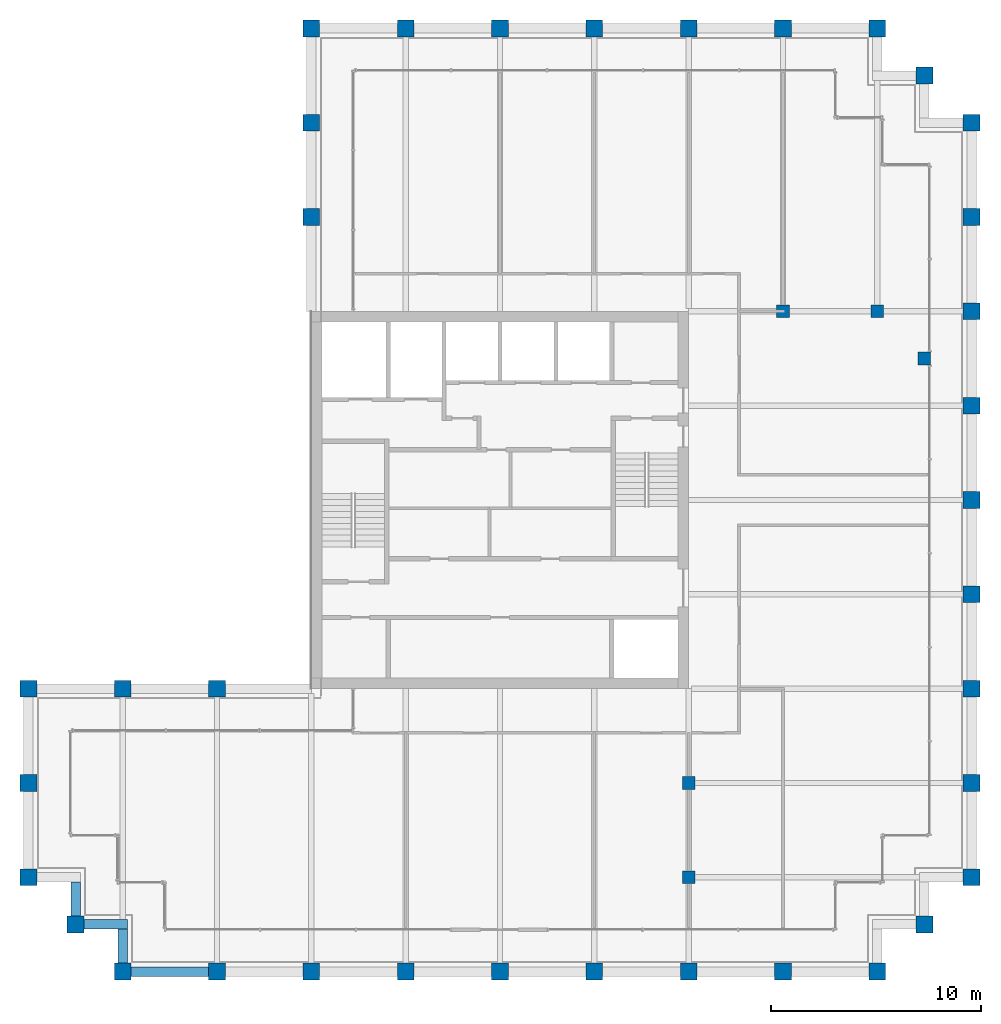
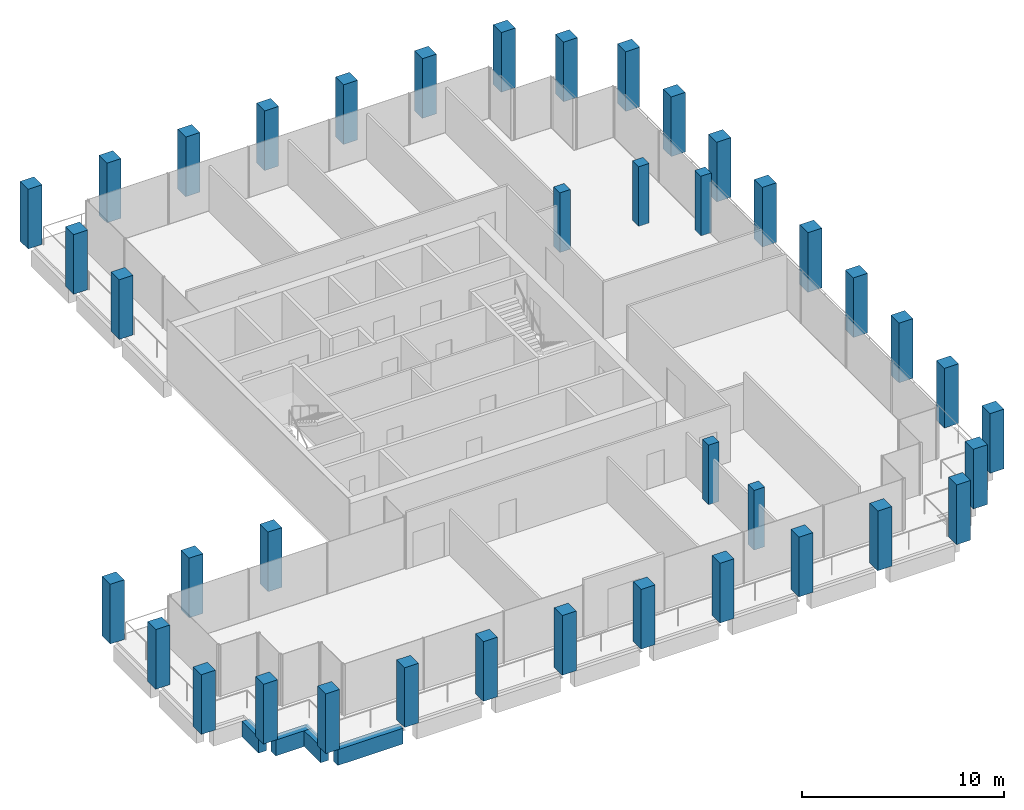
# One storey, part 1 of 30: 40 columns, 4 beams.
"""IFC4 building model written with IfcOpenShell, lengths in metres."""

from ifc_helpers import new_model, si_unit, direction, frame, origin, origin_2d, place, context, subcontext, project, spatial, rectangle, extrude, material, material_profile, profile_set, type_object, element, save


model = new_model("IFC4")

# Units and contexts
model_context = context("Model", 3, precision=1e-05, world=origin(), true_north=direction((0.0, 1.0)))
body_context = subcontext(model_context, "Body", "Model", "MODEL_VIEW")
ifc_project = project(units=[si_unit("LENGTHUNIT", "METRE"), si_unit("AREAUNIT", "SQUARE_METRE"), si_unit("VOLUMEUNIT", "CUBIC_METRE"), si_unit("PLANEANGLEUNIT", "RADIAN"), si_unit("MASSUNIT", "GRAM", prefix="KILO")], contexts=[model_context])

# Site, building, storey
site_placement = place(None, origin())
site = spatial("IfcSite", under=ifc_project, at=site_placement, CompositionType="ELEMENT")
building_placement = place(site_placement, origin())
building = spatial("IfcBuilding", under=site, at=building_placement, Name="Altepetl Exchange Towers", CompositionType="ELEMENT")
storey_placement = place(building_placement, frame((0.0, 0.0, 220.800048828125)))
storey = spatial("IfcBuildingStorey", under=building, at=storey_placement, Name="L56", CompositionType="ELEMENT", Elevation=220.800048828125)

# Columns
ifc_material_1 = material(Name="Concrete C70/85", Category="concrete")
ifc_material_profile_1 = material_profile(ifc_material_1, rectangle(XDim=0.60009765625, YDim=0.60009765625, at=origin_2d()), Name="600 x 600")
ifc_profile_set_1 = profile_set([ifc_material_profile_1], Name="Concrete C70/85")
column_type_1 = type_object("IfcColumnType", Name="Interior column 600", PredefinedType="COLUMN", material=ifc_profile_set_1)
for number, where, name in (
    (1, (58.5, 31.5, 0.0), "col:A:L56:035"),
    (2, (58.5, 36.0, 0.0), "col:A:L56:036"),
    (3, (63.0, 58.5, 0.0), "col:A:L56:037"),
    (4, (67.5, 58.5, 0.0), "col:A:L56:038"),
    (5, (69.75, 56.25, 0.0), "col:A:L56:039"),
):
    element("IfcColumn", number, at=place(storey_placement, frame(where)), inside=storey, type_object=column_type_1, Name=name, PredefinedType="COLUMN", context=body_context, shape_type="SweptSolid", body=[
        extrude(rectangle(XDim=0.60009765625, YDim=0.60009765625, at=origin_2d()), origin(), (0.0, 0.0, 1.0), 3.599853515625),
    ])
ifc_material_2 = material(Name="Concrete C70/85 precast with cantera amarilla facing", Category="concrete")
ifc_material_profile_2 = material_profile(ifc_material_2, rectangle(XDim=0.800048828125, YDim=0.800048828125, at=origin_2d()), Name="800 x 800")
ifc_profile_set_2 = profile_set([ifc_material_profile_2], Name="Concrete C70/85 precast with cantera amarilla facing")
column_type_2 = type_object("IfcColumnType", Name="Perimeter column 800 cantera amarilla", PredefinedType="COLUMN", material=ifc_profile_set_2)
for number, where, name in (
    (6, (58.5, 27.0, 0.0), "col:A:L56:006"),
    (7, (63.0, 27.0, 0.0), "col:A:L56:007"),
    (8, (67.5, 27.0, 0.0), "col:A:L56:008"),
    (9, (69.75, 29.25, 0.0), "col:A:L56:009"),
    (10, (72.0, 31.5, 0.0), "col:A:L56:010"),
    (11, (72.0, 36.0, 0.0), "col:A:L56:011"),
    (12, (72.0, 40.5, 0.0), "col:A:L56:012"),
    (13, (72.0, 45.0, 0.0), "col:A:L56:013"),
    (14, (72.0, 49.5, 0.0), "col:A:L56:014"),
    (15, (72.0, 54.0, 0.0), "col:A:L56:015"),
):
    element("IfcColumn", number, at=place(storey_placement, frame(where)), inside=storey, type_object=column_type_2, Name=name, PredefinedType="COLUMN", context=body_context, shape_type="SweptSolid", body=[
        extrude(rectangle(XDim=0.800048828125, YDim=0.800048828125, at=origin_2d()), origin(), (0.0, 0.0, 1.0), 3.599853515625),
    ])
ifc_material_3 = material(Name="Concrete C70/85 precast with cantera blanca facing", Category="concrete")
ifc_material_profile_3 = material_profile(ifc_material_3, rectangle(XDim=0.800048828125, YDim=0.800048828125, at=origin_2d()), Name="800 x 800")
ifc_profile_set_3 = profile_set([ifc_material_profile_3], Name="Concrete C70/85 precast with cantera blanca facing")
column_type_3 = type_object("IfcColumnType", Name="Perimeter column 800 cantera blanca", PredefinedType="COLUMN", material=ifc_profile_set_3)
for number, where, name in (
    (16, (31.5, 27.0, 0.0), "col:A:L56:000"),
    (17, (36.0, 27.0, 0.0), "col:A:L56:001"),
    (18, (40.5, 27.0, 0.0), "col:A:L56:002"),
    (19, (45.0, 27.0, 0.0), "col:A:L56:003"),
    (20, (49.5, 27.0, 0.0), "col:A:L56:004"),
    (21, (54.0, 27.0, 0.0), "col:A:L56:005"),
    (22, (27.0, 36.0, 0.0), "col:A:L56:032"),
    (23, (27.0, 31.5, 0.0), "col:A:L56:033"),
    (24, (29.25, 29.25, 0.0), "col:A:L56:034"),
):
    element("IfcColumn", number, at=place(storey_placement, frame(where)), inside=storey, type_object=column_type_3, Name=name, PredefinedType="COLUMN", context=body_context, shape_type="SweptSolid", body=[
        extrude(rectangle(XDim=0.800048828125, YDim=0.800048828125, at=origin_2d()), origin(), (0.0, 0.0, 1.0), 3.599853515625),
    ])
ifc_material_4 = material(Name="Concrete C70/85 precast with cantera rosa facing", Category="concrete")
ifc_material_profile_4 = material_profile(ifc_material_4, rectangle(XDim=0.800048828125, YDim=0.800048828125, at=origin_2d()), Name="800 x 800")
ifc_profile_set_4 = profile_set([ifc_material_profile_4], Name="Concrete C70/85 precast with cantera rosa facing")
column_type_4 = type_object("IfcColumnType", Name="Perimeter column 800 cantera rosa", PredefinedType="COLUMN", material=ifc_profile_set_4)
for number, where, name in (
    (25, (72.0, 58.5, 0.0), "col:A:L56:016"),
    (26, (72.0, 63.0, 0.0), "col:A:L56:017"),
    (27, (72.0, 67.5, 0.0), "col:A:L56:018"),
    (28, (69.75, 69.75, 0.0), "col:A:L56:019"),
    (29, (67.5, 72.0, 0.0), "col:A:L56:020"),
    (30, (63.0, 72.0, 0.0), "col:A:L56:021"),
    (31, (58.5, 72.0, 0.0), "col:A:L56:022"),
    (32, (54.0, 72.0, 0.0), "col:A:L56:023"),
    (33, (49.5, 72.0, 0.0), "col:A:L56:024"),
    (34, (45.0, 72.0, 0.0), "col:A:L56:025"),
):
    element("IfcColumn", number, at=place(storey_placement, frame(where)), inside=storey, type_object=column_type_4, Name=name, PredefinedType="COLUMN", context=body_context, shape_type="SweptSolid", body=[
        extrude(rectangle(XDim=0.800048828125, YDim=0.800048828125, at=origin_2d()), origin(), (0.0, 0.0, 1.0), 3.599853515625),
    ])
ifc_material_5 = material(Name="Concrete C70/85 precast with tezontle facing", Category="concrete")
ifc_material_profile_5 = material_profile(ifc_material_5, rectangle(XDim=0.800048828125, YDim=0.800048828125, at=origin_2d()), Name="800 x 800")
ifc_profile_set_5 = profile_set([ifc_material_profile_5], Name="Concrete C70/85 precast with tezontle facing")
column_type_5 = type_object("IfcColumnType", Name="Perimeter column 800 tezontle", PredefinedType="COLUMN", material=ifc_profile_set_5)
for number, where, name in (
    (35, (40.5, 72.0, 0.0), "col:A:L56:026"),
    (36, (40.5, 67.5, 0.0), "col:A:L56:027"),
    (37, (40.5, 63.0, 0.0), "col:A:L56:028"),
    (38, (36.0, 40.5, 0.0), "col:A:L56:029"),
    (39, (31.5, 40.5, 0.0), "col:A:L56:030"),
    (40, (27.0, 40.5, 0.0), "col:A:L56:031"),
):
    element("IfcColumn", number, at=place(storey_placement, frame(where)), inside=storey, type_object=column_type_5, Name=name, PredefinedType="COLUMN", context=body_context, shape_type="SweptSolid", body=[
        extrude(rectangle(XDim=0.800048828125, YDim=0.800048828125, at=origin_2d()), origin(), (0.0, 0.0, 1.0), 3.599853515625),
    ])

# Beams
ifc_material_6 = material(Name="Concrete C50/60 precast with cantera blanca facing", Category="concrete")
ifc_material_profile_6 = material_profile(ifc_material_6, rectangle(XDim=0.449951171875, YDim=0.949951171875, at=origin_2d()), Name="450 x 950")
ifc_profile_set_6 = profile_set([ifc_material_profile_6], Name="Concrete C50/60 precast with cantera blanca facing")
beam_type = type_object("IfcBeamType", Name="Spandrel beam 450x950 cantera blanca", PredefinedType="SPANDREL", material=ifc_profile_set_6)
beam_1_placement = place(storey_placement, frame((31.89990234375, 27.0, -0.625), z_axis=(1.0, 0.0, 0.0), x_axis=(0.0, 1.0, 0.0)))
element("IfcBeam", 41, at=beam_1_placement, inside=storey, type_object=beam_type, Name="sp:A:L56:000", PredefinedType="SPANDREL", context=body_context, shape_type="SweptSolid", body=[
    extrude(rectangle(XDim=0.449951171875, YDim=0.949951171875, at=origin_2d()), origin(), (0.0, 0.0, 1.0), 3.7001953125),
])
beam_2_placement = place(storey_placement, frame((29.25, 31.27490234375, -0.625), z_axis=(0.0, -1.0, 0.0), x_axis=(1.0, 0.0, 0.0)))
element("IfcBeam", 42, at=beam_2_placement, inside=storey, type_object=beam_type, Name="sp:A:L56:039", PredefinedType="SPANDREL", context=body_context, shape_type="SweptSolid", body=[
    extrude(rectangle(XDim=0.449951171875, YDim=0.949951171875, at=origin_2d()), origin(), (0.0, 0.0, 1.0), 1.625),
])
beam_3_placement = place(storey_placement, frame((29.64990234375, 29.25, -0.625), z_axis=(1.0, 0.0, 0.0), x_axis=(0.0, 1.0, 0.0)))
element("IfcBeam", 43, at=beam_3_placement, inside=storey, type_object=beam_type, Name="sp:A:L56:040", PredefinedType="SPANDREL", context=body_context, shape_type="SweptSolid", body=[
    extrude(rectangle(XDim=0.449951171875, YDim=0.949951171875, at=origin_2d()), origin(), (0.0, 0.0, 1.0), 2.0751953125),
])
beam_4_placement = place(storey_placement, frame((31.5, 29.02490234375, -0.625), z_axis=(0.0, -1.0, 0.0), x_axis=(1.0, 0.0, 0.0)))
element("IfcBeam", 44, at=beam_4_placement, inside=storey, type_object=beam_type, Name="sp:A:L56:041", PredefinedType="SPANDREL", context=body_context, shape_type="SweptSolid", body=[
    extrude(rectangle(XDim=0.449951171875, YDim=0.949951171875, at=origin_2d()), origin(), (0.0, 0.0, 1.0), 1.625),
])

save(model, "model.ifc")
